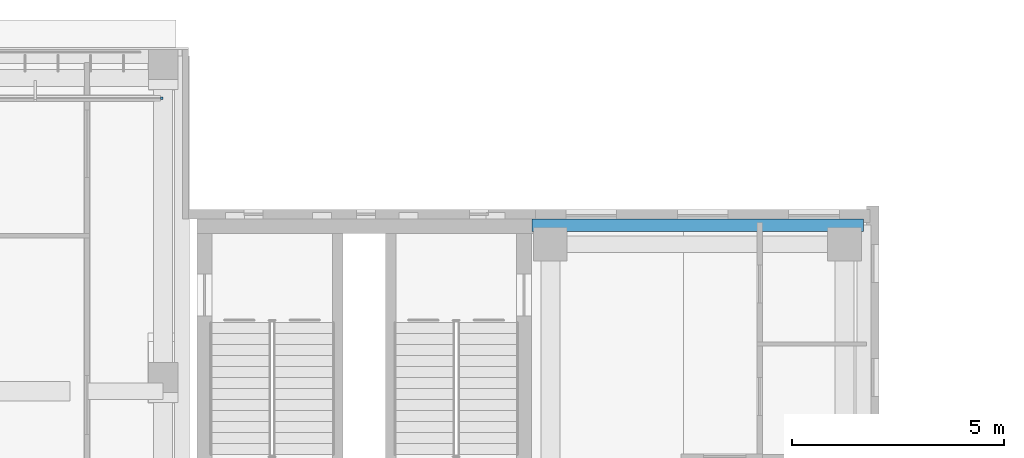
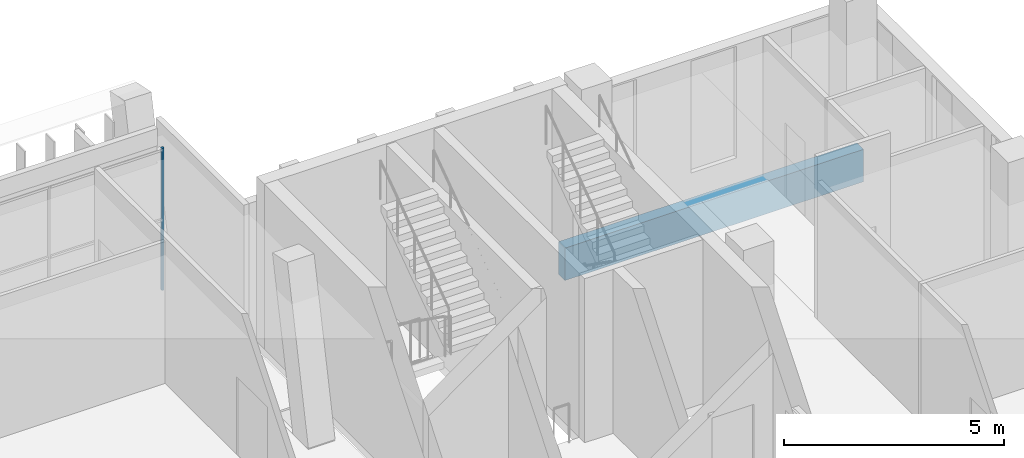
# One storey, part 35 of 74: 1 beam, 1 member, 1 element without a shape of its own.
"""IFC4 building model written with IfcOpenShell, lengths in metres."""

from ifc_helpers import new_model, si_unit, direction, frame, origin, origin_2d, place, context, subcontext, project, spatial, rectangle, extrude, material, material_profile, profile_set, type_object, element, aggregate, save


model = new_model("IFC4")

# Units and contexts
model_context = context("Model", 3, precision=1e-05, world=origin(), true_north=direction((0.0, 1.0)))
body_context = subcontext(model_context, "Body", "Model", "MODEL_VIEW")
ifc_project = project(units=[si_unit("LENGTHUNIT", "METRE"), si_unit("AREAUNIT", "SQUARE_METRE"), si_unit("VOLUMEUNIT", "CUBIC_METRE"), si_unit("PLANEANGLEUNIT", "RADIAN"), si_unit("MASSUNIT", "GRAM", prefix="KILO")], contexts=[model_context])

# Site, building, storey
site_placement = place(None, origin())
site = spatial("IfcSite", under=ifc_project, at=site_placement, CompositionType="ELEMENT")
building_placement = place(site_placement, origin())
building = spatial("IfcBuilding", under=site, at=building_placement, Name="Lantern Court Media Centre", CompositionType="ELEMENT")
storey_placement = place(building_placement, frame((0.0, 0.0, 19.199951171875)))
storey = spatial("IfcBuildingStorey", under=building, at=storey_placement, Name="L04", CompositionType="ELEMENT", Elevation=19.199951171875)

# Curtain wall, member
ifc_material_1 = material(Name="Curtain wall bay 3000")
curtain_wall_type = type_object("IfcCurtainWallType", Name="Curtain wall bay 3000", PredefinedType="NOTDEFINED", material=ifc_material_1)
curtain_wall_placement = place(storey_placement, origin())
curtain_wall = element("IfcCurtainWall", 1, at=curtain_wall_placement, inside=storey, type_object=curtain_wall_type, Name="Curtain wall N outer L04", PredefinedType="NOTDEFINED")
ifc_material_2 = material(Name="Anodised aluminium", Category="aluminium")
ifc_material_profile_1 = material_profile(ifc_material_2, rectangle(XDim=0.06005859375, YDim=0.06005859375, at=origin_2d()), Name="AL 60x60")
ifc_profile_set_1 = profile_set([ifc_material_profile_1], Name="Anodised aluminium")
member_type = type_object("IfcMemberType", Name="Curtain wall mullion 60x60", PredefinedType="MULLION", material=ifc_profile_set_1)
member_placement = place(storey_placement, frame((79.27001953125, 114.85009765625, 0.0), z_axis=(0.0, 0.0, 1.0), x_axis=(0.0, 1.0, 0.0)))
member = element("IfcMember", 2, at=member_placement, type_object=member_type, Name="CW1 mullion 14", PredefinedType="MULLION", context=body_context, shape_type="SweptSolid", body=[
    extrude(rectangle(XDim=0.06005859375, YDim=0.06005859375, at=origin_2d()), origin(), (0.0, 0.0, 1.0), 3.949951171875),
])
aggregate(curtain_wall, [member])

# Beam
ifc_material_3 = material(Name="Concrete C35", Category="concrete")
ifc_material_profile_2 = material_profile(ifc_material_3, rectangle(XDim=0.300048828125, YDim=0.89990234375, at=origin_2d()), Name="RC 300x900")
ifc_profile_set_2 = profile_set([ifc_material_profile_2], Name="Concrete C35")
beam_type = type_object("IfcBeamType", Name="RC BEAM 300x900", PredefinedType="BEAM", material=ifc_profile_set_2)
beam_placement = place(storey_placement, frame((88.02001953125, 111.85009765625, -0.449951171875), z_axis=(1.0, 0.0, 0.0), x_axis=(0.0, 1.0, 0.0)))
element("IfcBeam", 3, at=beam_placement, inside=storey, type_object=beam_type, Name="EB-NE-L04-N", PredefinedType="BEAM", context=body_context, shape_type="SweptSolid", body=[
    extrude(rectangle(XDim=0.300048828125, YDim=0.89990234375, at=origin_2d()), origin(), (0.0, 0.0, 1.0), 7.830078125),
])

save(model, "model.ifc")
